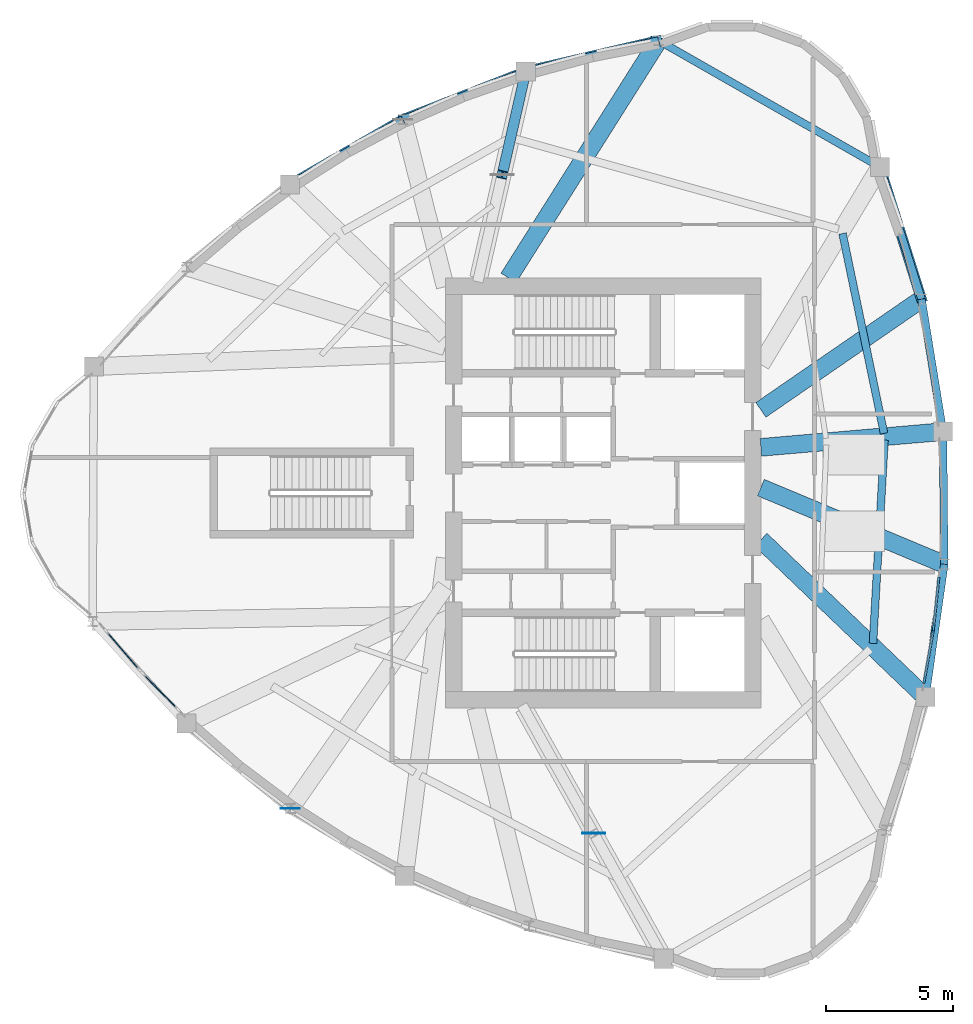
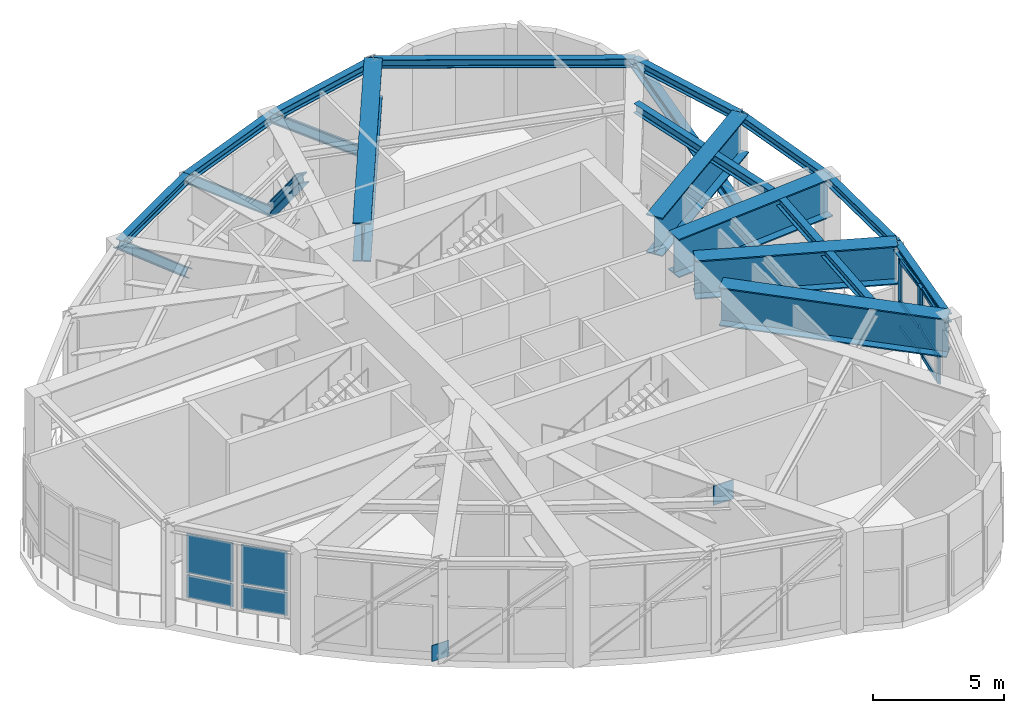
# One storey, part 3 of 10: 15 beams, 15 members, 6 plates, 4 elements without a shape of their own.
"""IFC4 building model written with IfcOpenShell, lengths in metres."""

from ifc_helpers import new_model, si_unit, direction, frame, origin, origin_2d, place, context, subcontext, project, spatial, rectangle, i_section, extrude, source, transform, mapped, material, layer, layer_set, material_profile, profile_set, type_object, element, aggregate, save


model = new_model("IFC4")

# Units and contexts
model_context = context("Model", 3, precision=1e-05, world=origin(), true_north=direction((0.0, 1.0)))
body_context = subcontext(model_context, "Body", "Model", "MODEL_VIEW")
ifc_project = project(units=[si_unit("LENGTHUNIT", "METRE"), si_unit("AREAUNIT", "SQUARE_METRE"), si_unit("VOLUMEUNIT", "CUBIC_METRE"), si_unit("PLANEANGLEUNIT", "RADIAN"), si_unit("MASSUNIT", "GRAM", prefix="KILO")], contexts=[model_context])

# Site, building, storey
site_placement = place(None, origin())
site = spatial("IfcSite", under=ifc_project, at=site_placement, CompositionType="ELEMENT")
building_placement = place(site_placement, origin())
building = spatial("IfcBuilding", under=site, at=building_placement, Name="Qafzar Sky-Pleat Residences", CompositionType="ELEMENT")
storey_placement = place(building_placement, frame((0.0, 0.0, 190.60009765625)))
storey = spatial("IfcBuildingStorey", under=building, at=storey_placement, Name="L57", CompositionType="ELEMENT", Elevation=190.60009765625)

# Beams
ifc_material_1 = material(Name="Steel S355", Category="steel")
ifc_material_profile_1 = material_profile(ifc_material_1, i_section(OverallWidth=0.300048828125, OverallDepth=0.39990234375, WebThickness=0.013427734375, FlangeThickness=0.02392578125, FilletRadius=0.027099609375, at=origin_2d()), Name="HEB 400")
ifc_profile_set_1 = profile_set([ifc_material_profile_1], Name="Steel S355")
beam_type_1 = type_object("IfcBeamType", Name="BM-SPAN-HEB400", PredefinedType="SPANDREL", material=ifc_profile_set_1)
shared_shape_1 = source(origin(), body_context, "Body", "SweptSolid", [
    extrude(i_section(OverallWidth=0.300048828125, OverallDepth=0.39990234375, WebThickness=0.013427734375, FlangeThickness=0.02392578125, FilletRadius=0.027099609375, at=origin_2d()), origin(), (0.0, 0.0, 1.0), 10.017578125),
])
beam_1_placement = place(storey_placement, frame((41.22900390625, 38.8125, 4.557861328125), z_axis=(-0.86844553877, 0.495784576394, 0.0), x_axis=(-0.495784576394, -0.86844553877, 0.0)))
element("IfcBeam", 1, at=beam_1_placement, inside=storey, type_object=beam_type_1, Name="L57 Perimeter Spandrel Beam 13", PredefinedType="SPANDREL", context=body_context, shape_type="MappedRepresentation", body=[
    mapped(shared_shape_1, transform((0.0, 0.0, 0.0), x_axis=(1.0, 0.0, 0.0), y_axis=(0.0, 1.0, 0.0), z_axis=(0.0, 0.0, 1.0), scale=1.0)),
])
shared_shape_2 = source(origin(), body_context, "Body", "SweptSolid", [
    extrude(i_section(OverallWidth=0.300048828125, OverallDepth=0.39990234375, WebThickness=0.013427734375, FlangeThickness=0.02392578125, FilletRadius=0.027099609375, at=origin_2d()), origin(), (0.0, 0.0, 1.0), 5.27294921875),
])
for number, where, z_axis, x_axis, name in (
    (2, (43.0166015625, 17.977294921875, 4.557861328125), (0.140662901854, 0.990057547844, 0.0), (-0.990057547844, 0.140662901854, 0.0), "L57 Perimeter Spandrel Beam 9"),
    (3, (43.70751953125, 28.410400390625, 4.557861328125), (-0.159877284529, 0.987136897239, 0.0), (-0.987136897239, -0.159877284529, 0.0), "L57 Perimeter Spandrel Beam 11"),
):
    element("IfcBeam", number, at=place(storey_placement, frame(where, z_axis=z_axis, x_axis=x_axis)), inside=storey, type_object=beam_type_1, Name=name, PredefinedType="SPANDREL", context=body_context, shape_type="MappedRepresentation", body=[
        mapped(shared_shape_2, transform((0.0, 0.0, 0.0), x_axis=(1.0, 0.0, 0.0), y_axis=(0.0, 1.0, 0.0), z_axis=(0.0, 0.0, 1.0), scale=1.0)),
    ])
shared_shape_3 = source(origin(), body_context, "Body", "SweptSolid", [
    extrude(i_section(OverallWidth=0.300048828125, OverallDepth=0.39990234375, WebThickness=0.013427734375, FlangeThickness=0.02392578125, FilletRadius=0.027099609375, at=origin_2d()), origin(), (0.0, 0.0, 1.0), 5.212890625),
])
beam_2_placement = place(storey_placement, frame((43.75830078125, 23.19775390625, 4.557861328125), z_axis=(-0.009741470215, 0.999952550753, 0.0), x_axis=(-0.999952550753, -0.009741470215, 0.0)))
element("IfcBeam", 4, at=beam_2_placement, inside=storey, type_object=beam_type_1, Name="L57 Perimeter Spandrel Beam 10", PredefinedType="SPANDREL", context=body_context, shape_type="MappedRepresentation", body=[
    mapped(shared_shape_3, transform((0.0, 0.0, 0.0), x_axis=(1.0, 0.0, 0.0), y_axis=(0.0, 1.0, 0.0), z_axis=(0.0, 0.0, 1.0), scale=1.0)),
])
shared_shape_4 = source(origin(), body_context, "Body", "SweptSolid", [
    extrude(i_section(OverallWidth=0.300048828125, OverallDepth=0.39990234375, WebThickness=0.013427734375, FlangeThickness=0.02392578125, FilletRadius=0.027099609375, at=origin_2d()), origin(), (0.0, 0.0, 1.0), 5.4482421875),
])
beam_3_placement = place(storey_placement, frame((42.864501953125, 33.615478515625, 4.557861328125), z_axis=(-0.300185458928, 0.95388085747, 0.0), x_axis=(-0.95388085747, -0.300185458928, 0.0)))
element("IfcBeam", 5, at=beam_3_placement, inside=storey, type_object=beam_type_1, Name="L57 Perimeter Spandrel Beam 12", PredefinedType="SPANDREL", context=body_context, shape_type="MappedRepresentation", body=[
    mapped(shared_shape_4, transform((0.0, 0.0, 0.0), x_axis=(1.0, 0.0, 0.0), y_axis=(0.0, 1.0, 0.0), z_axis=(0.0, 0.0, 1.0), scale=1.0)),
])
shared_shape_5 = source(origin(), body_context, "Body", "SweptSolid", [
    extrude(i_section(OverallWidth=0.300048828125, OverallDepth=0.39990234375, WebThickness=0.013427734375, FlangeThickness=0.02392578125, FilletRadius=0.027099609375, at=origin_2d()), origin(), (0.0, 0.0, 1.0), 5.356201171875),
])
beam_4_placement = place(storey_placement, frame((32.529296875, 43.779052734375, 4.557861328125), z_axis=(-0.974013405705, -0.226490365153, 0.0), x_axis=(0.226490365153, -0.974013405705, 0.0)))
element("IfcBeam", 6, at=beam_4_placement, inside=storey, type_object=beam_type_1, Name="L57 Perimeter Spandrel Beam 14", PredefinedType="SPANDREL", context=body_context, shape_type="MappedRepresentation", body=[
    mapped(shared_shape_5, transform((0.0, 0.0, 0.0), x_axis=(1.0, 0.0, 0.0), y_axis=(0.0, 1.0, 0.0), z_axis=(0.0, 0.0, 1.0), scale=1.0)),
])
shared_shape_6 = source(origin(), body_context, "Body", "SweptSolid", [
    extrude(i_section(OverallWidth=0.300048828125, OverallDepth=0.39990234375, WebThickness=0.013427734375, FlangeThickness=0.02392578125, FilletRadius=0.027099609375, at=origin_2d()), origin(), (0.0, 0.0, 1.0), 5.183837890625),
])
beam_5_placement = place(storey_placement, frame((27.312255859375, 42.56591796875, 4.557861328125), z_axis=(-0.931323360566, -0.36419335258, 0.0), x_axis=(0.36419335258, -0.931323360566, 0.0)))
element("IfcBeam", 7, at=beam_5_placement, inside=storey, type_object=beam_type_1, Name="L57 Perimeter Spandrel Beam 15", PredefinedType="SPANDREL", context=body_context, shape_type="MappedRepresentation", body=[
    mapped(shared_shape_6, transform((0.0, 0.0, 0.0), x_axis=(1.0, 0.0, 0.0), y_axis=(0.0, 1.0, 0.0), z_axis=(0.0, 0.0, 1.0), scale=1.0)),
])
shared_shape_7 = source(origin(), body_context, "Body", "SweptSolid", [
    extrude(i_section(OverallWidth=0.300048828125, OverallDepth=0.39990234375, WebThickness=0.013427734375, FlangeThickness=0.02392578125, FilletRadius=0.027099609375, at=origin_2d()), origin(), (0.0, 0.0, 1.0), 5.124755859375),
])
beam_6_placement = place(storey_placement, frame((22.484375, 40.677978515625, 4.557861328125), z_axis=(-0.866038823222, -0.499976756132, 0.0), x_axis=(0.499976756132, -0.866038823222, 0.0)))
element("IfcBeam", 8, at=beam_6_placement, inside=storey, type_object=beam_type_1, Name="L57 Perimeter Spandrel Beam 16", PredefinedType="SPANDREL", context=body_context, shape_type="MappedRepresentation", body=[
    mapped(shared_shape_7, transform((0.0, 0.0, 0.0), x_axis=(1.0, 0.0, 0.0), y_axis=(0.0, 1.0, 0.0), z_axis=(0.0, 0.0, 1.0), scale=1.0)),
])
ifc_material_2 = material(Name="Steel S460", Category="steel")
ifc_material_profile_2 = material_profile(ifc_material_2, i_section(OverallWidth=0.699951171875, OverallDepth=1.800048828125, WebThickness=0.035888671875, FlangeThickness=0.054931640625, at=origin_2d()), Name="PG 1800x700x55")
ifc_profile_set_2 = profile_set([ifc_material_profile_2], Name="Steel S460")
beam_type_2 = type_object("IfcBeamType", Name="BM-XFER-PG1800", PredefinedType="BEAM", material=ifc_profile_set_2)
shared_shape_8 = source(origin(), body_context, "Body", "SweptSolid", [
    extrude(i_section(OverallWidth=0.699951171875, OverallDepth=1.800048828125, WebThickness=0.035888671875, FlangeThickness=0.054931640625, at=origin_2d()), origin(), (0.0, 0.0, 1.0), 8.948486328125),
])
beam_7_placement = place(storey_placement, frame((43.0166015625, 17.977294921875, 3.85791015625), z_axis=(-0.7226335619, 0.691231318167, 0.0), x_axis=(-0.691231318167, -0.7226335619, 0.0)))
element("IfcBeam", 9, at=beam_7_placement, inside=storey, type_object=beam_type_2, Name="L58 Setback Transfer Girder 9", PredefinedType="BEAM", context=body_context, shape_type="MappedRepresentation", body=[
    mapped(shared_shape_8, transform((0.0, 0.0, 0.0), x_axis=(1.0, 0.0, 0.0), y_axis=(0.0, 1.0, 0.0), z_axis=(0.0, 0.0, 1.0), scale=1.0)),
])
shared_shape_9 = source(origin(), body_context, "Body", "SweptSolid", [
    extrude(i_section(OverallWidth=0.699951171875, OverallDepth=1.800048828125, WebThickness=0.035888671875, FlangeThickness=0.054931640625, at=origin_2d()), origin(), (0.0, 0.0, 1.0), 7.81298828125),
])
beam_8_placement = place(storey_placement, frame((43.75830078125, 23.19775390625, 3.85791015625), z_axis=(-0.922600098339, 0.385757771854, 0.0), x_axis=(-0.385757771854, -0.922600098339, 0.0)))
element("IfcBeam", 10, at=beam_8_placement, inside=storey, type_object=beam_type_2, Name="L58 Setback Transfer Girder 10", PredefinedType="BEAM", context=body_context, shape_type="MappedRepresentation", body=[
    mapped(shared_shape_9, transform((0.0, 0.0, 0.0), x_axis=(1.0, 0.0, 0.0), y_axis=(0.0, 1.0, 0.0), z_axis=(0.0, 0.0, 1.0), scale=1.0)),
])
shared_shape_10 = source(origin(), body_context, "Body", "SweptSolid", [
    extrude(i_section(OverallWidth=0.699951171875, OverallDepth=1.800048828125, WebThickness=0.035888671875, FlangeThickness=0.054931640625, at=origin_2d()), origin(), (0.0, 0.0, 1.0), 7.18408203125),
])
beam_9_placement = place(storey_placement, frame((43.70751953125, 28.410400390625, 3.85791015625), z_axis=(-0.996296993494, -0.085978490075, 0.0), x_axis=(0.085978490075, -0.996296993494, 0.0)))
element("IfcBeam", 11, at=beam_9_placement, inside=storey, type_object=beam_type_2, Name="L58 Setback Transfer Girder 11", PredefinedType="BEAM", context=body_context, shape_type="MappedRepresentation", body=[
    mapped(shared_shape_10, transform((0.0, 0.0, 0.0), x_axis=(1.0, 0.0, 0.0), y_axis=(0.0, 1.0, 0.0), z_axis=(0.0, 0.0, 1.0), scale=1.0)),
])
shared_shape_11 = source(origin(), body_context, "Body", "SweptSolid", [
    extrude(i_section(OverallWidth=0.699951171875, OverallDepth=1.800048828125, WebThickness=0.035888671875, FlangeThickness=0.054931640625, at=origin_2d()), origin(), (0.0, 0.0, 1.0), 7.66748046875),
])
beam_10_placement = place(storey_placement, frame((42.864501953125, 33.615478515625, 3.85791015625), z_axis=(-0.823543631427, -0.567252930478, 0.0), x_axis=(0.567252930478, -0.823543631427, 0.0)))
element("IfcBeam", 12, at=beam_10_placement, inside=storey, type_object=beam_type_2, Name="L58 Setback Transfer Girder 12", PredefinedType="BEAM", context=body_context, shape_type="MappedRepresentation", body=[
    mapped(shared_shape_11, transform((0.0, 0.0, 0.0), x_axis=(1.0, 0.0, 0.0), y_axis=(0.0, 1.0, 0.0), z_axis=(0.0, 0.0, 1.0), scale=1.0)),
])
shared_shape_12 = source(origin(), body_context, "Body", "SweptSolid", [
    extrude(i_section(OverallWidth=0.699951171875, OverallDepth=1.800048828125, WebThickness=0.035888671875, FlangeThickness=0.054931640625, at=origin_2d()), origin(), (0.0, 0.0, 1.0), 11.03515625),
])
beam_11_placement = place(storey_placement, frame((32.529296875, 43.779052734375, 3.85791015625), z_axis=(-0.534136986047, -0.845397941881, 0.0), x_axis=(0.845397941881, -0.534136986047, 0.0)))
element("IfcBeam", 13, at=beam_11_placement, inside=storey, type_object=beam_type_2, Name="L58 Setback Transfer Girder 14", PredefinedType="BEAM", context=body_context, shape_type="MappedRepresentation", body=[
    mapped(shared_shape_12, transform((0.0, 0.0, 0.0), x_axis=(1.0, 0.0, 0.0), y_axis=(0.0, 1.0, 0.0), z_axis=(0.0, 0.0, 1.0), scale=1.0)),
])
ifc_material_profile_3 = material_profile(ifc_material_1, i_section(OverallWidth=0.300048828125, OverallDepth=0.43994140625, WebThickness=0.011474609375, FlangeThickness=0.02099609375, FilletRadius=0.027099609375, at=origin_2d()), Name="HEA 450")
ifc_profile_set_3 = profile_set([ifc_material_profile_3], Name="Steel S355")
beam_type_3 = type_object("IfcBeamType", Name="BM-PLT-HEA450", PredefinedType="BEAM", material=ifc_profile_set_3)
shared_shape_13 = source(origin(), body_context, "Body", "SweptSolid", [
    extrude(i_section(OverallWidth=0.300048828125, OverallDepth=0.43994140625, WebThickness=0.011474609375, FlangeThickness=0.02099609375, FilletRadius=0.027099609375, at=origin_2d()), origin(), (0.0, 0.0, 1.0), 7.999267578125),
])
beam_12_placement = place(storey_placement, frame((40.954833984375, 20.091552734375, 4.537841796875), z_axis=(0.05682901899, 0.998383925452, 0.0), x_axis=(-0.998383925452, 0.05682901899, 0.0)))
element("IfcBeam", 14, at=beam_12_placement, inside=storey, type_object=beam_type_3, Name="L57 Outer Secondary Floor Joist 5", PredefinedType="BEAM", context=body_context, shape_type="MappedRepresentation", body=[
    mapped(shared_shape_13, transform((0.0, 0.0, 0.0), x_axis=(1.0, 0.0, 0.0), y_axis=(0.0, 1.0, 0.0), z_axis=(0.0, 0.0, 1.0), scale=1.0)),
])
shared_shape_14 = source(origin(), body_context, "Body", "SweptSolid", [
    extrude(i_section(OverallWidth=0.300048828125, OverallDepth=0.43994140625, WebThickness=0.011474609375, FlangeThickness=0.02099609375, FilletRadius=0.027099609375, at=origin_2d()), origin(), (0.0, 0.0, 1.0), 8.01953125),
])
beam_13_placement = place(storey_placement, frame((41.3896484375, 28.344970703125, 4.537841796875), z_axis=(-0.203300159498, 0.979116461483, 0.0), x_axis=(-0.979116461483, -0.203300159498, 0.0)))
element("IfcBeam", 15, at=beam_13_placement, inside=storey, type_object=beam_type_3, Name="L57 Outer Secondary Floor Joist 6", PredefinedType="BEAM", context=body_context, shape_type="MappedRepresentation", body=[
    mapped(shared_shape_14, transform((0.0, 0.0, 0.0), x_axis=(1.0, 0.0, 0.0), y_axis=(0.0, 1.0, 0.0), z_axis=(0.0, 0.0, 1.0), scale=1.0)),
])

# Members
ifc_material_profile_4 = material_profile(ifc_material_2, i_section(OverallWidth=0.406005859375, OverallDepth=0.416015625, WebThickness=0.027099609375, FlangeThickness=0.0439453125, FilletRadius=0.014892578125, at=origin_2d()), Name="HD 400x382")
ifc_profile_set_4 = profile_set([ifc_material_profile_4], Name="Steel S460")
member_type_1 = type_object("IfcMemberType", Name="MEM-BELT-HD382", PredefinedType="BRACE", material=ifc_profile_set_4)
shared_shape_15 = source(origin(), body_context, "Body", "SweptSolid", [
    extrude(i_section(OverallWidth=0.406005859375, OverallDepth=0.416015625, WebThickness=0.027099609375, FlangeThickness=0.0439453125, FilletRadius=0.014892578125, at=origin_2d()), origin(), (0.0, 0.0, 1.0), 7.00927734375),
])
member_1_placement = place(storey_placement, frame((42.864501953125, 33.615478515625, 0.14990234375), z_axis=(-0.233330383829, 0.741439600025, 0.629145652053), x_axis=(-0.95388085747, -0.300185458928, 0.0)))
element("IfcMember", 16, at=member_1_placement, inside=storey, type_object=member_type_1, Name="L57 Belt Truss Diagonal 12", PredefinedType="BRACE", context=body_context, shape_type="MappedRepresentation", body=[
    mapped(shared_shape_15, transform((0.0, 0.0, 0.0), x_axis=(1.0, 0.0, 0.0), y_axis=(0.0, 1.0, 0.0), z_axis=(0.0, 0.0, 1.0), scale=1.0)),
])
shared_shape_16 = source(origin(), body_context, "Body", "SweptSolid", [
    extrude(i_section(OverallWidth=0.406005859375, OverallDepth=0.416015625, WebThickness=0.027099609375, FlangeThickness=0.0439453125, FilletRadius=0.014892578125, at=origin_2d()), origin(), (0.0, 0.0, 1.0), 6.93798828125),
])
member_2_placement = place(storey_placement, frame((32.529296875, 43.779052734375, 0.14990234375), z_axis=(-0.751946298962, -0.17485241048, 0.635612616321), x_axis=(0.226490365153, -0.974013405705, 0.0)))
element("IfcMember", 17, at=member_2_placement, inside=storey, type_object=member_type_1, Name="L57 Belt Truss Diagonal 14", PredefinedType="BRACE", context=body_context, shape_type="MappedRepresentation", body=[
    mapped(shared_shape_16, transform((0.0, 0.0, 0.0), x_axis=(1.0, 0.0, 0.0), y_axis=(0.0, 1.0, 0.0), z_axis=(0.0, 0.0, 1.0), scale=1.0)),
])
shared_shape_17 = source(origin(), body_context, "Body", "SweptSolid", [
    extrude(i_section(OverallWidth=0.406005859375, OverallDepth=0.416015625, WebThickness=0.027099609375, FlangeThickness=0.0439453125, FilletRadius=0.014892578125, at=origin_2d()), origin(), (0.0, 0.0, 1.0), 6.805908203125),
])
member_3_placement = place(storey_placement, frame((27.312255859375, 42.56591796875, 0.14990234375), z_axis=(-0.709368538435, -0.277398073715, 0.64795569708), x_axis=(0.36419335258, -0.931323360566, 0.0)))
element("IfcMember", 18, at=member_3_placement, inside=storey, type_object=member_type_1, Name="L57 Belt Truss Diagonal 15", PredefinedType="BRACE", context=body_context, shape_type="MappedRepresentation", body=[
    mapped(shared_shape_17, transform((0.0, 0.0, 0.0), x_axis=(1.0, 0.0, 0.0), y_axis=(0.0, 1.0, 0.0), z_axis=(0.0, 0.0, 1.0), scale=1.0)),
])
shared_shape_18 = source(origin(), body_context, "Body", "SweptSolid", [
    extrude(i_section(OverallWidth=0.406005859375, OverallDepth=0.416015625, WebThickness=0.027099609375, FlangeThickness=0.0439453125, FilletRadius=0.014892578125, at=origin_2d()), origin(), (0.0, 0.0, 1.0), 6.760986328125),
])
member_4_placement = place(storey_placement, frame((22.484375, 40.677978515625, 0.14990234375), z_axis=(-0.656451421204, -0.378978913336, 0.652262611872), x_axis=(0.499976756132, -0.866038823222, 0.0)))
element("IfcMember", 19, at=member_4_placement, inside=storey, type_object=member_type_1, Name="L57 Belt Truss Diagonal 16", PredefinedType="BRACE", context=body_context, shape_type="MappedRepresentation", body=[
    mapped(shared_shape_18, transform((0.0, 0.0, 0.0), x_axis=(1.0, 0.0, 0.0), y_axis=(0.0, 1.0, 0.0), z_axis=(0.0, 0.0, 1.0), scale=1.0)),
])
ifc_material_profile_5 = material_profile(ifc_material_2, i_section(OverallWidth=0.408935546875, OverallDepth=0.425048828125, WebThickness=0.030029296875, FlangeThickness=0.048095703125, FilletRadius=0.014892578125, at=origin_2d()), Name="HD 400x421")
ifc_profile_set_5 = profile_set([ifc_material_profile_5], Name="Steel S460")
member_type_2 = type_object("IfcMemberType", Name="MEM-OUT-HD421", PredefinedType="BRACE", material=ifc_profile_set_5)
shared_shape_19 = source(origin(), body_context, "Body", "SweptSolid", [
    extrude(i_section(OverallWidth=0.408935546875, OverallDepth=0.425048828125, WebThickness=0.030029296875, FlangeThickness=0.048095703125, FilletRadius=0.014892578125, at=origin_2d()), origin(), (0.0, 0.0, 1.0), 5.99169921875),
])
member_5_placement = place(storey_placement, frame((26.38671875, 38.508056640625, 4.510009765625), z_axis=(0.154472033196, 0.677256571813, -0.719348265374), x_axis=(-0.974961430015, 0.222374031718, 0.0)))
element("IfcMember", 20, at=member_5_placement, inside=storey, type_object=member_type_2, Name="L57 Outrigger Truss Diagonal 8B", PredefinedType="BRACE", context=body_context, shape_type="MappedRepresentation", body=[
    mapped(shared_shape_19, transform((0.0, 0.0, 0.0), x_axis=(1.0, 0.0, 0.0), y_axis=(0.0, 1.0, 0.0), z_axis=(0.0, 0.0, 1.0), scale=1.0)),
])

# Curtain wall, members
ifc_material_3 = material(Name="Anodised bronze aluminium framing", Category="aluminium")
ifc_layer_1 = layer(ifc_material_3, 0.280029296875)
ifc_layer_set_1 = layer_set([ifc_layer_1], Name="Anodised bronze aluminium framing")
curtain_wall_type = type_object("IfcCurtainWallType", Name="CW-SYS-05", PredefinedType="NOTDEFINED", material=ifc_layer_set_1)
curtain_wall_1_placement = place(storey_placement, origin())
curtain_wall_1 = element("IfcCurtainWall", 21, at=curtain_wall_1_placement, inside=storey, type_object=curtain_wall_type, Name="L57 CW-05 Curtain Wall CW-L57-SLOT-07", PredefinedType="NOTDEFINED")
ifc_material_4 = material(Name="Anodised bronze aluminium", Category="aluminium")
ifc_material_profile_6 = material_profile(ifc_material_4, rectangle(XDim=0.0849609375, YDim=0.280029296875, at=origin_2d()), Name="ALU MULLION 85x280")
ifc_profile_set_6 = profile_set([ifc_material_profile_6], Name="Anodised bronze aluminium")
member_type_3 = type_object("IfcMemberType", Name="CWM-05", PredefinedType="MULLION", material=ifc_profile_set_6)
shared_shape_20 = source(origin(), body_context, "Body", "SweptSolid", [
    extrude(rectangle(XDim=0.0849609375, YDim=0.280029296875, at=origin_2d()), origin(), (0.0, 0.0, 1.0), 3.159912109375),
])
member_6_placement = place(storey_placement, frame((42.976318359375, 18.65771484375, 1.179931640625), z_axis=(0.0, 0.0, 1.0), x_axis=(-0.984182966896, 0.177154982067, 0.0)))
member_6 = element("IfcMember", 22, at=member_6_placement, type_object=member_type_3, Name="CW-05 mullion 1", PredefinedType="MULLION", context=body_context, shape_type="MappedRepresentation", body=[
    mapped(shared_shape_20, transform((0.0, 0.0, 0.0), x_axis=(1.0, 0.0, 0.0), y_axis=(0.0, 1.0, 0.0), z_axis=(0.0, 0.0, 1.0), scale=1.0)),
])
member_7_placement = place(storey_placement, frame((43.307373046875, 20.496337890625, 1.179931640625), z_axis=(0.0, 0.0, 1.0), x_axis=(-0.984182966896, 0.177154982067, 0.0)))
member_7 = element("IfcMember", 23, at=member_7_placement, type_object=member_type_3, Name="CW-05 mullion 2", PredefinedType="MULLION", context=body_context, shape_type="MappedRepresentation", body=[
    mapped(shared_shape_20, transform((0.0, 0.0, 0.0), x_axis=(1.0, 0.0, 0.0), y_axis=(0.0, 1.0, 0.0), z_axis=(0.0, 0.0, 1.0), scale=1.0)),
])

curtain_wall_2_placement = place(storey_placement, origin())
curtain_wall_2 = element("IfcCurtainWall", 24, at=curtain_wall_2_placement, inside=storey, type_object=curtain_wall_type, Name="L57 CW-05 Curtain Wall CW-L57-SLOT-08", PredefinedType="NOTDEFINED")
member_8_placement = place(storey_placement, frame((43.33984375, 20.726806640625, 1.179931640625), z_axis=(0.0, 0.0, 1.0), x_axis=(-0.9946168461, 0.103621085952, 0.0)))
member_8 = element("IfcMember", 25, at=member_8_placement, type_object=member_type_3, Name="CW-05 mullion 1", PredefinedType="MULLION", context=body_context, shape_type="MappedRepresentation", body=[
    mapped(shared_shape_20, transform((0.0, 0.0, 0.0), x_axis=(1.0, 0.0, 0.0), y_axis=(0.0, 1.0, 0.0), z_axis=(0.0, 0.0, 1.0), scale=1.0)),
])
member_9_placement = place(storey_placement, frame((43.530517578125, 22.555419921875, 1.179931640625), z_axis=(0.0, 0.0, 1.0), x_axis=(-0.9946168461, 0.103621085952, 0.0)))
member_9 = element("IfcMember", 26, at=member_9_placement, type_object=member_type_3, Name="CW-05 mullion 2", PredefinedType="MULLION", context=body_context, shape_type="MappedRepresentation", body=[
    mapped(shared_shape_20, transform((0.0, 0.0, 0.0), x_axis=(1.0, 0.0, 0.0), y_axis=(0.0, 1.0, 0.0), z_axis=(0.0, 0.0, 1.0), scale=1.0)),
])

# Member
ifc_material_profile_7 = material_profile(ifc_material_4, rectangle(XDim=0.0849609375, YDim=0.2099609375, at=origin_2d()), Name="ALU TRANSOM 85x210")
ifc_profile_set_7 = profile_set([ifc_material_profile_7], Name="Anodised bronze aluminium")
member_type_4 = type_object("IfcMemberType", Name="CWT-05", PredefinedType="USERDEFINED", material=ifc_profile_set_7)
shared_shape_21 = source(origin(), body_context, "Body", "SweptSolid", [
    extrude(rectangle(XDim=0.0849609375, YDim=0.2099609375, at=origin_2d()), origin(), (0.0, 0.0, 1.0), 1.783203125),
])
member_10_placement = place(storey_placement, frame((42.98388671875, 18.699462890625, 1.222412109375), z_axis=(0.177174217925, 0.984179504208, 0.0), x_axis=(-0.984179504208, 0.177174217925, 0.0)))
member_10 = element("IfcMember", 27, at=member_10_placement, type_object=member_type_4, Name="CW-05 transom 1.1", ObjectType="TRANSOM", PredefinedType="USERDEFINED", context=body_context, shape_type="MappedRepresentation", body=[
    mapped(shared_shape_21, transform((0.0, 0.0, 0.0), x_axis=(1.0, 0.0, 0.0), y_axis=(0.0, 1.0, 0.0), z_axis=(0.0, 0.0, 1.0), scale=1.0)),
])

member_11_placement = place(storey_placement, frame((42.98388671875, 18.699462890625, 2.380615234375), z_axis=(0.177174217925, 0.984179504208, 0.0), x_axis=(-0.984179504208, 0.177174217925, 0.0)))
member_11 = element("IfcMember", 28, at=member_11_placement, type_object=member_type_4, Name="CW-05 transom 1.2", ObjectType="TRANSOM", PredefinedType="USERDEFINED", context=body_context, shape_type="MappedRepresentation", body=[
    mapped(shared_shape_21, transform((0.0, 0.0, 0.0), x_axis=(1.0, 0.0, 0.0), y_axis=(0.0, 1.0, 0.0), z_axis=(0.0, 0.0, 1.0), scale=1.0)),
])

member_12_placement = place(storey_placement, frame((42.98388671875, 18.699462890625, 4.29736328125), z_axis=(0.177174217925, 0.984179504208, 0.0), x_axis=(-0.984179504208, 0.177174217925, 0.0)))
member_12 = element("IfcMember", 29, at=member_12_placement, type_object=member_type_4, Name="CW-05 transom 1.3", ObjectType="TRANSOM", PredefinedType="USERDEFINED", context=body_context, shape_type="MappedRepresentation", body=[
    mapped(shared_shape_21, transform((0.0, 0.0, 0.0), x_axis=(1.0, 0.0, 0.0), y_axis=(0.0, 1.0, 0.0), z_axis=(0.0, 0.0, 1.0), scale=1.0)),
])

aggregate(curtain_wall_1, [member_6, member_7, member_10, member_11, member_12])

shared_shape_22 = source(origin(), body_context, "Body", "SweptSolid", [
    extrude(rectangle(XDim=0.0849609375, YDim=0.2099609375, at=origin_2d()), origin(), (0.0, 0.0, 1.0), 1.75341796875),
])
member_13_placement = place(storey_placement, frame((43.34423828125, 20.76904296875, 1.222412109375), z_axis=(0.103597474928, 0.994619305658, 0.0), x_axis=(-0.994619305658, 0.103597474928, 0.0)))
member_13 = element("IfcMember", 30, at=member_13_placement, type_object=member_type_4, Name="CW-05 transom 1.1", ObjectType="TRANSOM", PredefinedType="USERDEFINED", context=body_context, shape_type="MappedRepresentation", body=[
    mapped(shared_shape_22, transform((0.0, 0.0, 0.0), x_axis=(1.0, 0.0, 0.0), y_axis=(0.0, 1.0, 0.0), z_axis=(0.0, 0.0, 1.0), scale=1.0)),
])

member_14_placement = place(storey_placement, frame((43.34423828125, 20.76904296875, 2.380615234375), z_axis=(0.103597474928, 0.994619305658, 0.0), x_axis=(-0.994619305658, 0.103597474928, 0.0)))
member_14 = element("IfcMember", 31, at=member_14_placement, type_object=member_type_4, Name="CW-05 transom 1.2", ObjectType="TRANSOM", PredefinedType="USERDEFINED", context=body_context, shape_type="MappedRepresentation", body=[
    mapped(shared_shape_22, transform((0.0, 0.0, 0.0), x_axis=(1.0, 0.0, 0.0), y_axis=(0.0, 1.0, 0.0), z_axis=(0.0, 0.0, 1.0), scale=1.0)),
])

member_15_placement = place(storey_placement, frame((43.34423828125, 20.76904296875, 4.29736328125), z_axis=(0.103597474928, 0.994619305658, 0.0), x_axis=(-0.994619305658, 0.103597474928, 0.0)))
member_15 = element("IfcMember", 32, at=member_15_placement, type_object=member_type_4, Name="CW-05 transom 1.3", ObjectType="TRANSOM", PredefinedType="USERDEFINED", context=body_context, shape_type="MappedRepresentation", body=[
    mapped(shared_shape_22, transform((0.0, 0.0, 0.0), x_axis=(1.0, 0.0, 0.0), y_axis=(0.0, 1.0, 0.0), z_axis=(0.0, 0.0, 1.0), scale=1.0)),
])

aggregate(curtain_wall_2, [member_8, member_9, member_13, member_14, member_15])

# Plates
ifc_layer_2 = layer(ifc_material_1, 0.030029296875)
ifc_layer_set_2 = layer_set([ifc_layer_2], Name="Steel S355")
plate_type_1 = type_object("IfcPlateType", Name="PLT-NODE-BN1", PredefinedType="USERDEFINED", material=ifc_layer_set_2)
shared_shape_23 = source(origin(), body_context, "Body", "SweptSolid", [
    extrude(rectangle(XDim=0.75, YDim=0.030029296875, at=origin_2d()), origin(), (0.0, 0.0, 1.0), 0.75),
])
plate_1_placement = place(storey_placement, frame((18.058837890625, 13.60205078125, 0.074951171875), z_axis=(0.0, 0.0, 1.0), x_axis=(1.0, 0.0, 0.0)))
element("IfcPlate", 33, at=plate_1_placement, inside=storey, type_object=plate_type_1, Name="L57 Belt-Truss Node Plate 4", ObjectType="GUSSET_PLATE", PredefinedType="USERDEFINED", context=body_context, shape_type="MappedRepresentation", body=[
    mapped(shared_shape_23, transform((0.0, 0.0, 0.0), x_axis=(1.0, 0.0, 0.0), y_axis=(0.0, 1.0, 0.0), z_axis=(0.0, 0.0, 1.0), scale=1.0)),
])
ifc_layer_3 = layer(ifc_material_1, 0.034912109375)
ifc_layer_set_3 = layer_set([ifc_layer_3], Name="Steel S355")
plate_type_2 = type_object("IfcPlateType", Name="PLT-NODE-ON1", PredefinedType="USERDEFINED", material=ifc_layer_set_3)
shared_shape_24 = source(origin(), body_context, "Body", "SweptSolid", [
    extrude(rectangle(XDim=0.89990234375, YDim=0.034912109375, at=origin_2d()), origin(), (0.0, 0.0, 1.0), 0.89990234375),
])
plate_2_placement = place(storey_placement, frame((29.9833984375, 12.624267578125, 3.81005859375), z_axis=(0.0, 0.0, 1.0), x_axis=(1.0, 0.0, 0.0)))
element("IfcPlate", 34, at=plate_2_placement, inside=storey, type_object=plate_type_2, Name="L57 Outrigger Gusset Node 4", ObjectType="GUSSET_PLATE", PredefinedType="USERDEFINED", context=body_context, shape_type="MappedRepresentation", body=[
    mapped(shared_shape_24, transform((0.0, 0.0, 0.0), x_axis=(1.0, 0.0, 0.0), y_axis=(0.0, 1.0, 0.0), z_axis=(0.0, 0.0, 1.0), scale=1.0)),
])

# Curtain wall, plates
curtain_wall_3_placement = place(storey_placement, origin())
curtain_wall_3 = element("IfcCurtainWall", 35, at=curtain_wall_3_placement, inside=storey, type_object=curtain_wall_type, Name="L57 CW-05 Curtain Wall CW-L57-SLOT-05", PredefinedType="NOTDEFINED")
ifc_material_5 = material(Name="Solar-control double low-E glazing", Category="glass")
ifc_layer_4 = layer(ifc_material_5, 0.035888671875)
ifc_layer_set_4 = layer_set([ifc_layer_4], Name="Solar-control double low-E glazing")
plate_type_3 = type_object("IfcPlateType", Name="CWP-05", PredefinedType="CURTAIN_PANEL", material=ifc_layer_set_4)
shared_shape_25 = source(origin(), body_context, "Body", "SweptSolid", [
    extrude(rectangle(XDim=1.884765625, YDim=0.035888671875, at=origin_2d()), origin(), (0.0, 0.0, 1.0), 1.0732421875),
])
plate_3_placement = place(storey_placement, frame((11.482177734375, 19.802001953125, 1.264892578125), z_axis=(0.0, 0.0, 1.0), x_axis=(0.65025815122, -0.759713325388, 0.0)))
plate_3 = element("IfcPlate", 36, at=plate_3_placement, type_object=plate_type_3, Name="CW-05 panel 1.1", PredefinedType="CURTAIN_PANEL", context=body_context, shape_type="MappedRepresentation", body=[
    mapped(shared_shape_25, transform((0.0, 0.0, 0.0), x_axis=(1.0, 0.0, 0.0), y_axis=(0.0, 1.0, 0.0), z_axis=(0.0, 0.0, 1.0), scale=1.0)),
])
shared_shape_26 = source(origin(), body_context, "Body", "SweptSolid", [
    extrude(rectangle(XDim=1.884765625, YDim=0.035888671875, at=origin_2d()), origin(), (0.0, 0.0, 1.0), 1.831787109375),
])
plate_4_placement = place(storey_placement, frame((11.482177734375, 19.802001953125, 2.42333984375), z_axis=(0.0, 0.0, 1.0), x_axis=(0.65025815122, -0.759713325388, 0.0)))
plate_4 = element("IfcPlate", 37, at=plate_4_placement, type_object=plate_type_3, Name="CW-05 panel 1.2", PredefinedType="CURTAIN_PANEL", context=body_context, shape_type="MappedRepresentation", body=[
    mapped(shared_shape_26, transform((0.0, 0.0, 0.0), x_axis=(1.0, 0.0, 0.0), y_axis=(0.0, 1.0, 0.0), z_axis=(0.0, 0.0, 1.0), scale=1.0)),
])
aggregate(curtain_wall_3, [plate_3, plate_4])

curtain_wall_4_placement = place(storey_placement, origin())
curtain_wall_4 = element("IfcCurtainWall", 38, at=curtain_wall_4_placement, inside=storey, type_object=curtain_wall_type, Name="L57 CW-05 Curtain Wall CW-L57-SLOT-06", PredefinedType="NOTDEFINED")
shared_shape_27 = source(origin(), body_context, "Body", "SweptSolid", [
    extrude(rectangle(XDim=1.8271484375, YDim=0.035888671875, at=origin_2d()), origin(), (0.0, 0.0, 1.0), 1.0732421875),
])
plate_5_placement = place(storey_placement, frame((12.951416015625, 18.200439453125, 1.264892578125), z_axis=(0.0, 0.0, 1.0), x_axis=(0.701526801038, -0.712643071548, 0.0)))
plate_5 = element("IfcPlate", 39, at=plate_5_placement, type_object=plate_type_3, Name="CW-05 panel 1.1", PredefinedType="CURTAIN_PANEL", context=body_context, shape_type="MappedRepresentation", body=[
    mapped(shared_shape_27, transform((0.0, 0.0, 0.0), x_axis=(1.0, 0.0, 0.0), y_axis=(0.0, 1.0, 0.0), z_axis=(0.0, 0.0, 1.0), scale=1.0)),
])
shared_shape_28 = source(origin(), body_context, "Body", "SweptSolid", [
    extrude(rectangle(XDim=1.8271484375, YDim=0.035888671875, at=origin_2d()), origin(), (0.0, 0.0, 1.0), 1.831787109375),
])
plate_6_placement = place(storey_placement, frame((12.951416015625, 18.200439453125, 2.42333984375), z_axis=(0.0, 0.0, 1.0), x_axis=(0.701526801038, -0.712643071548, 0.0)))
plate_6 = element("IfcPlate", 40, at=plate_6_placement, type_object=plate_type_3, Name="CW-05 panel 1.2", PredefinedType="CURTAIN_PANEL", context=body_context, shape_type="MappedRepresentation", body=[
    mapped(shared_shape_28, transform((0.0, 0.0, 0.0), x_axis=(1.0, 0.0, 0.0), y_axis=(0.0, 1.0, 0.0), z_axis=(0.0, 0.0, 1.0), scale=1.0)),
])
aggregate(curtain_wall_4, [plate_5, plate_6])

save(model, "model.ifc")
